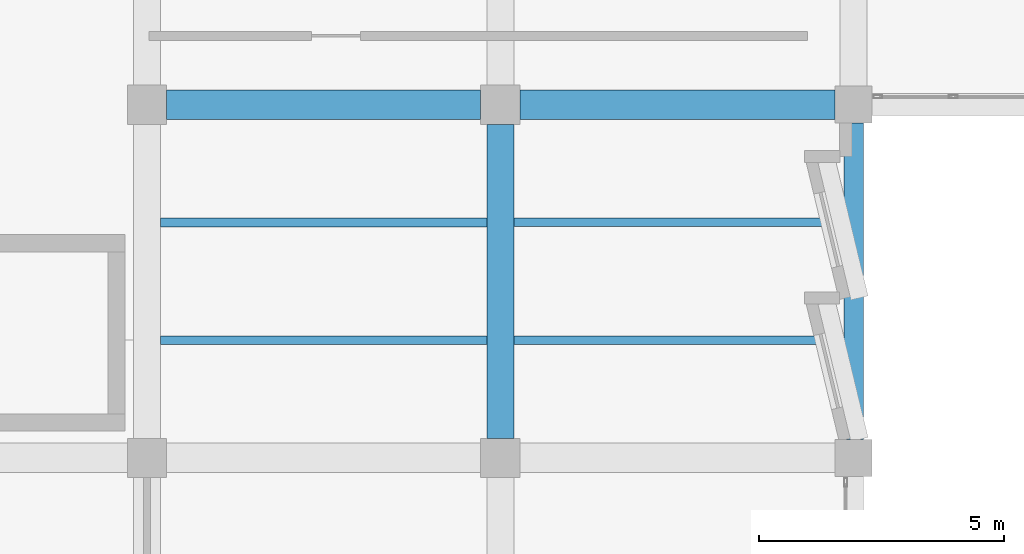
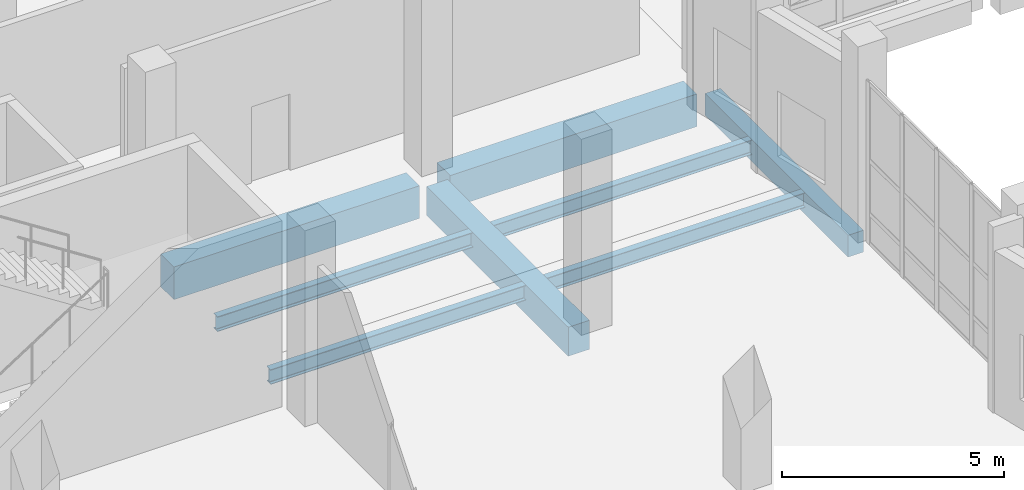
# One storey, part 49 of 137: 8 beams.
"""IFC4 building model written with IfcOpenShell, lengths in metres."""

from ifc_helpers import new_model, si_unit, direction, frame, origin, origin_2d, place, context, subcontext, project, spatial, rectangle, i_section, extrude, material, material_profile, profile_set, type_object, element, save


model = new_model("IFC4")

# Units and contexts
model_context = context("Model", 3, precision=1e-05, world=origin(), true_north=direction((0.0, 1.0)))
body_context = subcontext(model_context, "Body", "Model", "MODEL_VIEW")
ifc_project = project(units=[si_unit("LENGTHUNIT", "METRE"), si_unit("AREAUNIT", "SQUARE_METRE"), si_unit("VOLUMEUNIT", "CUBIC_METRE"), si_unit("PLANEANGLEUNIT", "RADIAN"), si_unit("MASSUNIT", "GRAM", prefix="KILO")], contexts=[model_context])

# Site, building, storey
site_placement = place(None, origin())
site = spatial("IfcSite", under=ifc_project, at=site_placement, CompositionType="ELEMENT")
building_placement = place(site_placement, origin())
building = spatial("IfcBuilding", under=site, at=building_placement, Name="Kalmorath City Hall", CompositionType="ELEMENT")
storey_placement = place(building_placement, origin())
storey = spatial("IfcBuildingStorey", under=building, at=storey_placement, Name="L00", CompositionType="ELEMENT", Elevation=0.0)

# Beams
ifc_material_1 = material(Name="Concrete C40/50", Category="concrete")
ifc_material_profile_1 = material_profile(ifc_material_1, rectangle(XDim=0.39990234375, YDim=0.60009765625, at=origin_2d()), Name="RC-BM-400X600")
ifc_profile_set_1 = profile_set([ifc_material_profile_1], Name="Concrete C40/50")
beam_type_1 = type_object("IfcBeamType", Name="Concrete edge beam 400x600", PredefinedType="SPANDREL", material=ifc_profile_set_1)
beam_1_placement = place(storey_placement, frame((28.800048828125, 86.77490234375, -0.60400390625), z_axis=(0.0, 1.0, 0.0), x_axis=(-1.0, 0.0, 0.0)))
element("IfcBeam", 1, at=beam_1_placement, inside=storey, type_object=beam_type_1, Name="L00 girder CB6 Y5/13-14", PredefinedType="SPANDREL", context=body_context, shape_type="SweptSolid", body=[
    extrude(rectangle(XDim=0.39990234375, YDim=0.60009765625, at=origin_2d()), origin(), (0.0, 0.0, 1.0), 6.4501953125),
])
ifc_material_2 = material(Name="Concrete C40/50", Category="concrete")
ifc_material_profile_2 = material_profile(ifc_material_2, rectangle(XDim=0.550048828125, YDim=0.800048828125, at=origin_2d()), Name="RC-BM-550X800")
ifc_profile_set_2 = profile_set([ifc_material_profile_2], Name="Concrete C40/50")
beam_type_2 = type_object("IfcBeamType", Name="Concrete floor girder 550x800", PredefinedType="BEAM", material=ifc_profile_set_2)
beam_2_placement = place(storey_placement, frame((21.60009765625, 86.800048828125, -0.7041015625), z_axis=(0.0, 1.0, 0.0), x_axis=(-1.0, 0.0, 0.0)))
element("IfcBeam", 2, at=beam_2_placement, inside=storey, type_object=beam_type_2, Name="L00 girder CB2 Y4/13-14", PredefinedType="BEAM", context=body_context, shape_type="SweptSolid", body=[
    extrude(rectangle(XDim=0.550048828125, YDim=0.800048828125, at=origin_2d()), origin(), (0.0, 0.0, 1.0), 6.39990234375),
])
ifc_material_3 = material(Name="Concrete C40/50", Category="concrete")
ifc_material_profile_3 = material_profile(ifc_material_3, rectangle(XDim=0.60009765625, YDim=0.89990234375, at=origin_2d()), Name="RC-BM-600X900")
ifc_profile_set_3 = profile_set([ifc_material_profile_3], Name="Concrete C40/50")
beam_type_3 = type_object("IfcBeamType", Name="Concrete floor girder 600x900", PredefinedType="BEAM", material=ifc_profile_set_3)
beam_3_placement = place(storey_placement, frame((14.800048828125, 93.60009765625, -0.75390625), z_axis=(1.0, 0.0, 0.0), x_axis=(0.0, 1.0, 0.0)))
element("IfcBeam", 3, at=beam_3_placement, inside=storey, type_object=beam_type_3, Name="L00 girder CB1 X3-4/14", PredefinedType="BEAM", context=body_context, shape_type="SweptSolid", body=[
    extrude(rectangle(XDim=0.60009765625, YDim=0.89990234375, at=origin_2d()), origin(), (0.0, 0.0, 1.0), 6.39990234375),
])
beam_4_placement = place(storey_placement, frame((22.0, 93.60009765625, -0.75390625), z_axis=(1.0, 0.0, 0.0), x_axis=(0.0, 1.0, 0.0)))
element("IfcBeam", 4, at=beam_4_placement, inside=storey, type_object=beam_type_3, Name="L00 girder CB1 X4-5/14", PredefinedType="BEAM", context=body_context, shape_type="SweptSolid", body=[
    extrude(rectangle(XDim=0.60009765625, YDim=0.89990234375, at=origin_2d()), origin(), (0.0, 0.0, 1.0), 6.425048828125),
])
ifc_material_4 = material(Name="Steel ASTM A992 Grade 50", Category="steel")
ifc_material_profile_4 = material_profile(ifc_material_4, i_section(OverallWidth=0.177001953125, OverallDepth=0.403076171875, WebThickness=0.007568359375, FlangeThickness=0.010986328125, FilletRadius=0.012939453125, at=origin_2d()), Name="W16X36")
ifc_profile_set_4 = profile_set([ifc_material_profile_4], Name="Steel ASTM A992 Grade 50")
beam_type_4 = type_object("IfcBeamType", Name="Steel composite joist W16X36", PredefinedType="JOIST", material=ifc_profile_set_4)
for number, where, z_axis, x_axis, name in (
    (5, (21.875, 88.800048828125, -0.505615234375), (1.0, 0.0, 0.0), (0.0, 1.0, 0.0), "L00 joist SJ7 4.13.1"),
    (6, (21.875, 91.199951171875, -0.505615234375), (1.0, 0.0, 0.0), (0.0, 1.0, 0.0), "L00 joist SJ7 4.13.2"),
):
    element("IfcBeam", number, at=place(storey_placement, frame(where, z_axis=z_axis, x_axis=x_axis)), inside=storey, type_object=beam_type_4, Name=name, PredefinedType="JOIST", context=body_context, shape_type="SweptSolid", body=[
        extrude(i_section(OverallWidth=0.177001953125, OverallDepth=0.403076171875, WebThickness=0.007568359375, FlangeThickness=0.010986328125, FilletRadius=0.012939453125, at=origin_2d()), origin(), (0.0, 0.0, 1.0), 6.72509765625),
    ])
ifc_material_5 = material(Name="Steel ASTM A992 Grade 50", Category="steel")
ifc_material_profile_5 = material_profile(ifc_material_5, i_section(OverallWidth=0.178955078125, OverallDepth=0.409912109375, WebThickness=0.0087890625, FlangeThickness=0.014404296875, FilletRadius=0.012939453125, at=origin_2d()), Name="W16X45")
ifc_profile_set_5 = profile_set([ifc_material_profile_5], Name="Steel ASTM A992 Grade 50")
beam_type_5 = type_object("IfcBeamType", Name="Steel composite joist W16X45", PredefinedType="JOIST", material=ifc_profile_set_5)
for number, where, z_axis, x_axis, name in (
    (7, (14.675048828125, 88.800048828125, -0.509033203125), (1.0, 0.0, 0.0), (0.0, 1.0, 0.0), "L00 joist SJ6 3.13.1"),
    (8, (14.675048828125, 91.199951171875, -0.509033203125), (1.0, 0.0, 0.0), (0.0, 1.0, 0.0), "L00 joist SJ6 3.13.2"),
):
    element("IfcBeam", number, at=place(storey_placement, frame(where, z_axis=z_axis, x_axis=x_axis)), inside=storey, type_object=beam_type_5, Name=name, PredefinedType="JOIST", context=body_context, shape_type="SweptSolid", body=[
        extrude(i_section(OverallWidth=0.178955078125, OverallDepth=0.409912109375, WebThickness=0.0087890625, FlangeThickness=0.014404296875, FilletRadius=0.012939453125, at=origin_2d()), origin(), (0.0, 0.0, 1.0), 6.64990234375),
    ])

save(model, "model.ifc")
